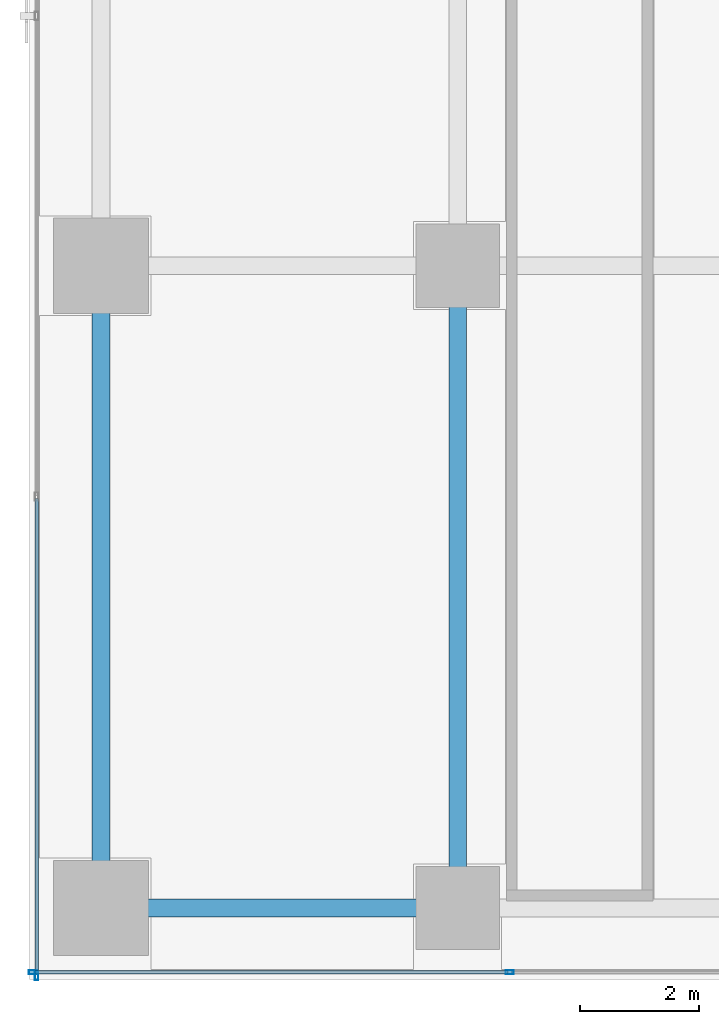
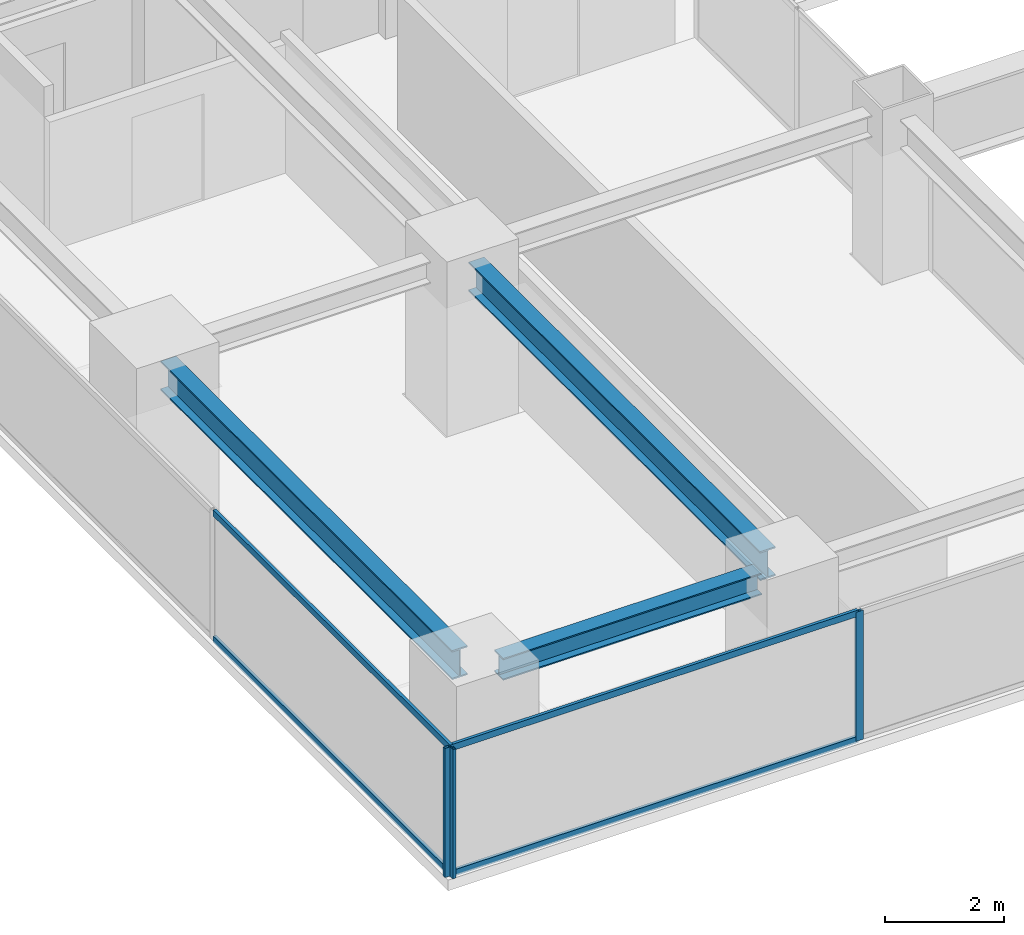
# One storey, part 2 of 32: 7 members, 3 beams, 2 elements without a shape of their own.
"""IFC4 building model written with IfcOpenShell, lengths in metres."""

import ifcopenshell
import ifcopenshell.guid

model = None  # the IFC model being written
_history = None  # IfcOwnerHistory: only IFC2X3 demands one
_inside = {}  # id of a spatial element -> (the spatial element, [elements in it])
_under = {}  # id of a project, library or spatial element -> (it, [spatial elements below it])
_declared = {}  # id of a project -> (the project, [libraries it declares])
_typed = {}  # id of a type object -> (the type object, [elements of that type])
_made_of = {}  # id of a material, layer set ... -> (it, [elements and type objects made of it])


def new_model(schema):
    """Start an empty IFC model of exactly this schema.

    Asked for "IFC4X3", IfcOpenShell would pick the latest addendum, in which some entities
    have other attributes; the version numbers below select the first issue.
    IFC2X3 requires an IfcOwnerHistory on every rooted entity: one is made here for all.
    """
    global model, _history
    if schema == "IFC4X3":
        model = ifcopenshell.file(schema_version=(4, 3, 0, 0))
    else:
        model = ifcopenshell.file(schema=schema)
    _inside.clear()
    _under.clear()
    _declared.clear()
    _typed.clear()
    _made_of.clear()
    _history = None
    if model.schema == "IFC2X3":
        org = make("IfcOrganization", Name="unknown")
        user = make(
            "IfcPersonAndOrganization",
            ThePerson=make("IfcPerson", FamilyName="unknown"),
            TheOrganization=org,
        )
        app = make(
            "IfcApplication",
            ApplicationDeveloper=org,
            Version="unknown",
            ApplicationFullName="unknown",
            ApplicationIdentifier="unknown",
        )
        _history = make(
            "IfcOwnerHistory",
            OwningUser=user,
            OwningApplication=app,
            ChangeAction="ADDED",
            CreationDate=0,
        )
    return model


def make(cls, **values):
    """One entity of the class cls with the attributes given. An attribute that is None is left unset."""
    return model.create_entity(
        cls, **{name: value for name, value in values.items() if value is not None}
    )


def rooted(cls, **values):
    """An entity with a GlobalId (a new one), such as an element, a storey or a relation."""
    return make(cls, GlobalId=ifcopenshell.guid.new(), OwnerHistory=_history, **values)


def si_unit(unit_type, name, prefix=None):
    """IfcSIUnit, for example si_unit("LENGTHUNIT", "METRE", prefix="MILLI")."""
    return make("IfcSIUnit", UnitType=unit_type, Prefix=prefix, Name=name)


def assignment(units):
    """IfcUnitAssignment: the units of a project."""
    return None if units is None else make("IfcUnitAssignment", Units=units)


def point(xyz):
    """IfcCartesianPoint."""
    return None if xyz is None else make("IfcCartesianPoint", Coordinates=xyz)


def direction(xyz):
    """IfcDirection."""
    return None if xyz is None else make("IfcDirection", DirectionRatios=xyz)


def frame(location, z_axis=None, x_axis=None):
    """IfcAxis2Placement3D, a coordinate frame: its origin and axes. An axis left out is left unset."""
    return make(
        "IfcAxis2Placement3D",
        Location=point(location),
        Axis=direction(z_axis),
        RefDirection=direction(x_axis),
    )


def frame_2d(location, x_axis=None):
    """IfcAxis2Placement2D, a coordinate frame in the plane: its origin and x axis."""
    return make(
        "IfcAxis2Placement2D", Location=point(location), RefDirection=direction(x_axis)
    )


def origin():
    """The frame at (0, 0, 0) with its axes left unset."""
    return frame((0.0, 0.0, 0.0))


def origin_2d():
    """The frame at (0, 0) in the plane with its x axis left unset."""
    return frame_2d((0.0, 0.0))


def place(relative_to, where):
    """IfcLocalPlacement: puts the frame where relative to a parent placement (None: the world)."""
    return make(
        "IfcLocalPlacement", PlacementRelTo=relative_to, RelativePlacement=where
    )


def context(
    kind, dimensions, precision=None, world=None, true_north=None, identifier=None
):
    """IfcGeometricRepresentationContext, for example the 3D "Model" context."""
    return make(
        "IfcGeometricRepresentationContext",
        ContextIdentifier=identifier,
        ContextType=kind,
        CoordinateSpaceDimension=dimensions,
        Precision=precision,
        WorldCoordinateSystem=world,
        TrueNorth=true_north,
    )


def subcontext(parent, identifier, kind, view, scale=None):
    """IfcGeometricRepresentationSubContext, for example "Body" below "Model"."""
    return make(
        "IfcGeometricRepresentationSubContext",
        ContextIdentifier=identifier,
        ContextType=kind,
        ParentContext=parent,
        TargetScale=scale,
        TargetView=view,
    )


def project(units=None, contexts=None):
    """IfcProject with its units and contexts."""
    return rooted(
        "IfcProject",
        Name="project",
        RepresentationContexts=contexts,
        UnitsInContext=assignment(units),
    )


def spatial(cls, under=None, at=None, **own):
    """A site, building, storey or space (cls), placed at a placement, below another one or the project."""
    s = rooted(cls, ObjectPlacement=at, **own)
    if under is not None:
        _under.setdefault(under.id(), (under, []))[1].append(s)
    return s


def profile(cls, at=None, kind="AREA", **sizes):
    """A parametric profile (cls). Its sizes go by their IFC names, for example OverallWidth=200.0."""
    return make(cls, ProfileType=kind, Position=at, **sizes)


def hollow_rectangle(**sizes):
    """IfcRectangleHollowProfileDef."""
    return profile("IfcRectangleHollowProfileDef", **sizes)


def i_section(**sizes):
    """IfcIShapeProfileDef."""
    return profile("IfcIShapeProfileDef", **sizes)


def extrude(swept, where, along, depth):
    """IfcExtrudedAreaSolid: the profile swept, set in the frame where, extruded along a direction by depth."""
    return make(
        "IfcExtrudedAreaSolid",
        SweptArea=swept,
        Position=where,
        ExtrudedDirection=direction(along),
        Depth=depth,
    )


def shape(context_of_items, identifier, shape_type, items):
    """IfcShapeRepresentation: the items that make up one representation, for example the "Body"."""
    return make(
        "IfcShapeRepresentation",
        ContextOfItems=context_of_items,
        RepresentationIdentifier=identifier,
        RepresentationType=shape_type,
        Items=items,
    )


def source(mapping_origin, context_of_items, identifier, shape_type, items):
    """IfcRepresentationMap: a shape defined once, which mapped items show again and again."""
    return make(
        "IfcRepresentationMap",
        MappingOrigin=mapping_origin,
        MappedRepresentation=shape(context_of_items, identifier, shape_type, items),
    )


def transform(
    local_origin,
    x_axis=None,
    y_axis=None,
    z_axis=None,
    scale=None,
    scale2=None,
    scale3=None,
    uniform=True,
):
    """IfcCartesianTransformationOperator3D, or its non-uniform kind. x_axis, y_axis, z_axis: its Axis1, 2, 3."""
    if uniform:
        return make(
            "IfcCartesianTransformationOperator3D",
            Axis1=direction(x_axis),
            Axis2=direction(y_axis),
            LocalOrigin=point(local_origin),
            Scale=scale,
            Axis3=direction(z_axis),
        )
    return make(
        "IfcCartesianTransformationOperator3DnonUniform",
        Axis1=direction(x_axis),
        Axis2=direction(y_axis),
        LocalOrigin=point(local_origin),
        Scale=scale,
        Axis3=direction(z_axis),
        Scale2=scale2,
        Scale3=scale3,
    )


def mapped(mapping_source, mapping_target):
    """IfcMappedItem: shows the shape of a source again, moved by a transform."""
    return make(
        "IfcMappedItem", MappingSource=mapping_source, MappingTarget=mapping_target
    )


def material(Name=None, Category=None):
    """IfcMaterial."""
    return make("IfcMaterial", Name=Name, Category=Category)


def layer(
    of_material, thickness, ventilated=None, Name=None, Category=None, Priority=None
):
    """IfcMaterialLayer: one layer of a wall or slab, of a material (None: an air gap)."""
    return make(
        "IfcMaterialLayer",
        Material=of_material,
        LayerThickness=thickness,
        IsVentilated=ventilated,
        Name=Name,
        Category=Category,
        Priority=Priority,
    )


def layer_set(layers, Name=None):
    """IfcMaterialLayerSet."""
    return make("IfcMaterialLayerSet", MaterialLayers=layers, LayerSetName=Name)


def material_profile(
    of_material, cross_section, Name=None, Category=None, Priority=None
):
    """IfcMaterialProfile: a cross section and its material."""
    return make(
        "IfcMaterialProfile",
        Name=Name,
        Material=of_material,
        Profile=cross_section,
        Priority=Priority,
        Category=Category,
    )


def profile_set(profiles, Name=None, composite=None):
    """IfcMaterialProfileSet."""
    return make(
        "IfcMaterialProfileSet",
        Name=Name,
        MaterialProfiles=profiles,
        CompositeProfile=composite,
    )


def made_of(thing, what):
    """Note that an element or type object is made of a material, layer set ...; save() writes the relation."""
    if what is not None:
        _made_of.setdefault(what.id(), (what, []))[1].append(thing)
    return thing


def type_object(cls, material=None, **own):
    """A type object (cls), such as IfcWallType, which elements share."""
    return made_of(rooted(cls, **own), material)


def element(
    cls,
    number,
    at=None,
    inside=None,
    cuts=None,
    type_object=None,
    material=None,
    context=None,
    identifier="Body",
    shape_type=None,
    held_by="IfcProductDefinitionShape",
    body=None,
    shapes=None,
    **own,
):
    """One element of the class cls, such as IfcWall. Its Tag is "e" and its number.

    at: its placement. inside: the storey or other place that contains it. cuts: it is an
    opening in that element (IfcRelVoidsElement). A single representation is given by context,
    identifier, shape_type and body (its items); several are given by shapes. held_by: the class
    of the entity that holds the representations. save() writes the other relations.
    """
    e = rooted(cls, Tag="e%d" % number, ObjectPlacement=at, **own)
    if body is not None:
        shapes = [shape(context, identifier, shape_type, body)]
    if shapes is not None:
        e.Representation = make(held_by, Representations=shapes)
    if inside is not None:
        _inside.setdefault(inside.id(), (inside, []))[1].append(e)
    if cuts is not None:
        rooted(
            "IfcRelVoidsElement", RelatingBuildingElement=cuts, RelatedOpeningElement=e
        )
    if type_object is not None:
        _typed.setdefault(type_object.id(), (type_object, []))[1].append(e)
    return made_of(e, material)


def aggregate(whole, parts):
    """IfcRelAggregates: a whole, such as a stair, and the parts it consists of."""
    return rooted("IfcRelAggregates", RelatingObject=whole, RelatedObjects=parts)


def save(model, path):
    """Write the relations noted so far, then the file.

    IfcRelAggregates (storeys below a building ...), IfcRelContainedInSpatialStructure (elements
    in a storey), IfcRelDefinesByType, IfcRelAssociatesMaterial and IfcRelDeclares: one each for
    every whole, place, type object, material and project.
    """
    for whole, parts in _under.values():
        aggregate(whole, parts)
    for where, things in _inside.values():
        rooted(
            "IfcRelContainedInSpatialStructure",
            RelatedElements=things,
            RelatingStructure=where,
        )
    for kind, things in _typed.values():
        rooted("IfcRelDefinesByType", RelatedObjects=things, RelatingType=kind)
    for what, things in _made_of.values():
        rooted("IfcRelAssociatesMaterial", RelatedObjects=things, RelatingMaterial=what)
    for by, libraries in _declared.values():
        rooted("IfcRelDeclares", RelatingContext=by, RelatedDefinitions=libraries)
    model.write(path)


model = new_model("IFC4")

# Units and contexts
model_context = context("Model", 3, precision=1e-05, world=origin(), true_north=direction((0.0, 1.0)))
body_context = subcontext(model_context, "Body", "Model", "MODEL_VIEW")
ifc_project = project(units=[si_unit("LENGTHUNIT", "METRE"), si_unit("AREAUNIT", "SQUARE_METRE"), si_unit("VOLUMEUNIT", "CUBIC_METRE"), si_unit("PLANEANGLEUNIT", "RADIAN"), si_unit("MASSUNIT", "GRAM", prefix="KILO")], contexts=[model_context])

# Site, building, storey
site_placement = place(None, origin())
site = spatial("IfcSite", under=ifc_project, at=site_placement, CompositionType="ELEMENT")
building_placement = place(site_placement, origin())
building = spatial("IfcBuilding", under=site, at=building_placement, Name="Sumidabori Civic Tower", CompositionType="ELEMENT")
storey_placement = place(building_placement, frame((0.0, 0.0, 225.199951171875)))
storey = spatial("IfcBuildingStorey", under=building, at=storey_placement, Name="L58", CompositionType="ELEMENT", Elevation=225.199951171875)

# Beams
ifc_material_1 = material(Name="Steel SN490", Category="steel")
ifc_material_profile_1 = material_profile(ifc_material_1, i_section(OverallWidth=0.300048828125, OverallDepth=0.60009765625, WebThickness=0.015380859375, FlangeThickness=0.030029296875, at=origin_2d()), Name="HE 600 B")
ifc_profile_set_1 = profile_set([ifc_material_profile_1], Name="Steel SN490")
beam_type_1 = type_object("IfcBeamType", Name="BM-GIRD-600", PredefinedType="BEAM", material=ifc_profile_set_1)
shared_shape_1 = source(origin(), body_context, "Body", "SweptSolid", [
    extrude(i_section(OverallWidth=0.300048828125, OverallDepth=0.60009765625, WebThickness=0.015380859375, FlangeThickness=0.030029296875, at=origin_2d()), origin(), (0.0, 0.0, 1.0), 9.840087890625),
])
for number, where, z_axis, x_axis, name in (
    (1, (-22.800048828125, -10.320068359375, 3.0400390625), (0.0, 1.0, 0.0), (-1.0, 0.0, 0.0), "Primary Girder L58 GY-11"),
    (2, (-16.800048828125, -10.320068359375, 2.97998046875), (0.0, 1.0, 0.0), (-1.0, 0.0, 0.0), "Primary Girder L58 GY-14"),
):
    element("IfcBeam", number, at=place(storey_placement, frame(where, z_axis=z_axis, x_axis=x_axis)), inside=storey, type_object=beam_type_1, Name=name, PredefinedType="BEAM", context=body_context, shape_type="MappedRepresentation", body=[
        mapped(shared_shape_1, transform((0.0, 0.0, 0.0), x_axis=(1.0, 0.0, 0.0), y_axis=(0.0, 1.0, 0.0), z_axis=(0.0, 0.0, 1.0), scale=1.0)),
    ])
ifc_material_profile_2 = material_profile(ifc_material_1, i_section(OverallWidth=0.300048828125, OverallDepth=0.449951171875, WebThickness=0.013916015625, FlangeThickness=0.02587890625, at=origin_2d()), Name="HE 450 B")
ifc_profile_set_2 = profile_set([ifc_material_profile_2], Name="Steel SN490")
beam_type_2 = type_object("IfcBeamType", Name="BM-GIRD-450", PredefinedType="BEAM", material=ifc_profile_set_2)
shared_shape_2 = source(origin(), body_context, "Body", "SweptSolid", [
    extrude(i_section(OverallWidth=0.300048828125, OverallDepth=0.449951171875, WebThickness=0.013916015625, FlangeThickness=0.02587890625, at=origin_2d()), origin(), (0.0, 0.0, 1.0), 5.0400390625),
])
beam_placement = place(storey_placement, frame((-22.320068359375, -10.800048828125, 3.114990234375), z_axis=(1.0, 0.0, 0.0), x_axis=(0.0, 1.0, 0.0)))
element("IfcBeam", 3, at=beam_placement, inside=storey, type_object=beam_type_2, Name="Primary Girder L58 GX-01", PredefinedType="BEAM", context=body_context, shape_type="MappedRepresentation", body=[
    mapped(shared_shape_2, transform((0.0, 0.0, 0.0), x_axis=(1.0, 0.0, 0.0), y_axis=(0.0, 1.0, 0.0), z_axis=(0.0, 0.0, 1.0), scale=1.0)),
])

# Curtain wall, members
ifc_material_2 = material(Name="Anodised Bronze Aluminium AW-6063-T6", Category="aluminium")
ifc_layer = layer(ifc_material_2, 0.179931640625, Name="Anodised Bronze Aluminium AW-6063-T6")
ifc_layer_set = layer_set([ifc_layer], Name="Anodised Bronze Aluminium AW-6063-T6")
curtain_wall_type = type_object("IfcCurtainWallType", Name="CW-SYS-5", PredefinedType="NOTDEFINED", material=ifc_layer_set)
curtain_wall_1_placement = place(storey_placement, origin())
curtain_wall_1 = element("IfcCurtainWall", 4, at=curtain_wall_1_placement, inside=storey, type_object=curtain_wall_type, Name="Curtain Wall CW:L58:R01", PredefinedType="NOTDEFINED")
ifc_material_profile_3 = material_profile(ifc_material_2, hollow_rectangle(XDim=0.06005859375, YDim=0.1298828125, WallThickness=0.0048828125, at=origin_2d()), Name="ALU TRANSOM 130x60")
ifc_profile_set_3 = profile_set([ifc_material_profile_3], Name="Anodised Bronze Aluminium AW-6063-T6")
member_type_1 = type_object("IfcMemberType", Name="CW-TRN-130", PredefinedType="USERDEFINED", material=ifc_profile_set_3)
shared_shape_3 = source(origin(), body_context, "Body", "SweptSolid", [
    extrude(hollow_rectangle(XDim=0.06005859375, YDim=0.1298828125, WallThickness=0.0048828125, at=origin_2d()), origin(), (0.0, 0.0, 1.0), 7.954833984375),
])
member_1_placement = place(storey_placement, frame((-23.909912109375, -11.8798828125, 0.030029296875), z_axis=(1.0, 0.0, 0.0), x_axis=(0.0, 1.0, 0.0)))
member_1 = element("IfcMember", 5, at=member_1_placement, type_object=member_type_1, Name="CW-5 transom 1.1", ObjectType="TRANSOM", PredefinedType="USERDEFINED", context=body_context, shape_type="MappedRepresentation", body=[
    mapped(shared_shape_3, transform((0.0, 0.0, 0.0), x_axis=(1.0, 0.0, 0.0), y_axis=(0.0, 1.0, 0.0), z_axis=(0.0, 0.0, 1.0), scale=1.0)),
])
member_2_placement = place(storey_placement, frame((-23.909912109375, -11.8798828125, 2.630126953125), z_axis=(1.0, 0.0, 0.0), x_axis=(0.0, 1.0, 0.0)))
member_2 = element("IfcMember", 6, at=member_2_placement, type_object=member_type_1, Name="CW-5 transom 1.2", ObjectType="TRANSOM", PredefinedType="USERDEFINED", context=body_context, shape_type="MappedRepresentation", body=[
    mapped(shared_shape_3, transform((0.0, 0.0, 0.0), x_axis=(1.0, 0.0, 0.0), y_axis=(0.0, 1.0, 0.0), z_axis=(0.0, 0.0, 1.0), scale=1.0)),
])

curtain_wall_2_placement = place(storey_placement, origin())
curtain_wall_2 = element("IfcCurtainWall", 7, at=curtain_wall_2_placement, inside=storey, type_object=curtain_wall_type, Name="Curtain Wall CW:L58:R17", PredefinedType="NOTDEFINED")
shared_shape_4 = source(origin(), body_context, "Body", "SweptSolid", [
    extrude(hollow_rectangle(XDim=0.06005859375, YDim=0.1298828125, WallThickness=0.0048828125, at=origin_2d()), origin(), (0.0, 0.0, 1.0), 7.994873046875),
])
member_3_placement = place(storey_placement, frame((-23.8798828125, -3.9150390625, 0.030029296875), z_axis=(0.0, -1.0, 0.0), x_axis=(1.0, 0.0, 0.0)))
member_3 = element("IfcMember", 8, at=member_3_placement, type_object=member_type_1, Name="CW-5 transom 4.1", ObjectType="TRANSOM", PredefinedType="USERDEFINED", context=body_context, shape_type="MappedRepresentation", body=[
    mapped(shared_shape_4, transform((0.0, 0.0, 0.0), x_axis=(1.0, 0.0, 0.0), y_axis=(0.0, 1.0, 0.0), z_axis=(0.0, 0.0, 1.0), scale=1.0)),
])
member_4_placement = place(storey_placement, frame((-23.8798828125, -3.9150390625, 2.630126953125), z_axis=(0.0, -1.0, 0.0), x_axis=(1.0, 0.0, 0.0)))
member_4 = element("IfcMember", 9, at=member_4_placement, type_object=member_type_1, Name="CW-5 transom 4.2", ObjectType="TRANSOM", PredefinedType="USERDEFINED", context=body_context, shape_type="MappedRepresentation", body=[
    mapped(shared_shape_4, transform((0.0, 0.0, 0.0), x_axis=(1.0, 0.0, 0.0), y_axis=(0.0, 1.0, 0.0), z_axis=(0.0, 0.0, 1.0), scale=1.0)),
])

# Member
ifc_material_profile_4 = material_profile(ifc_material_2, hollow_rectangle(XDim=0.06005859375, YDim=0.139892578125, WallThickness=0.0048828125, at=origin_2d()), Name="ALU MULLION 140x60")
ifc_profile_set_4 = profile_set([ifc_material_profile_4], Name="Anodised Bronze Aluminium AW-6063-T6")
member_type_2 = type_object("IfcMemberType", Name="CW-MUL-140", PredefinedType="MULLION", material=ifc_profile_set_4)
shared_shape_5 = source(origin(), body_context, "Body", "SweptSolid", [
    extrude(hollow_rectangle(XDim=0.06005859375, YDim=0.139892578125, WallThickness=0.0048828125, at=origin_2d()), origin(), (0.0, 0.0, 1.0), 2.66015625),
])
member_5_placement = place(storey_placement, frame((-23.93994140625, -11.8798828125, 0.0), z_axis=(0.0, 0.0, 1.0), x_axis=(0.0, 1.0, 0.0)))
member_5 = element("IfcMember", 10, at=member_5_placement, type_object=member_type_2, Name="CW-5 mullion 1", PredefinedType="MULLION", context=body_context, shape_type="MappedRepresentation", body=[
    mapped(shared_shape_5, transform((0.0, 0.0, 0.0), x_axis=(1.0, 0.0, 0.0), y_axis=(0.0, 1.0, 0.0), z_axis=(0.0, 0.0, 1.0), scale=1.0)),
])

member_6_placement = place(storey_placement, frame((-15.925048828125, -11.8798828125, 0.0), z_axis=(0.0, 0.0, 1.0), x_axis=(0.0, 1.0, 0.0)))
member_6 = element("IfcMember", 11, at=member_6_placement, type_object=member_type_2, Name="CW-5 mullion 2", PredefinedType="MULLION", context=body_context, shape_type="MappedRepresentation", body=[
    mapped(shared_shape_5, transform((0.0, 0.0, 0.0), x_axis=(1.0, 0.0, 0.0), y_axis=(0.0, 1.0, 0.0), z_axis=(0.0, 0.0, 1.0), scale=1.0)),
])

aggregate(curtain_wall_1, [member_5, member_6, member_1, member_2])

member_7_placement = place(storey_placement, frame((-23.8798828125, -11.93994140625, 0.0), z_axis=(0.0, 0.0, 1.0), x_axis=(1.0, 0.0, 0.0)))
member_7 = element("IfcMember", 12, at=member_7_placement, type_object=member_type_2, Name="CW-5 mullion 5", PredefinedType="MULLION", context=body_context, shape_type="MappedRepresentation", body=[
    mapped(shared_shape_5, transform((0.0, 0.0, 0.0), x_axis=(1.0, 0.0, 0.0), y_axis=(0.0, 1.0, 0.0), z_axis=(0.0, 0.0, 1.0), scale=1.0)),
])

aggregate(curtain_wall_2, [member_7, member_3, member_4])

save(model, "model.ifc")
